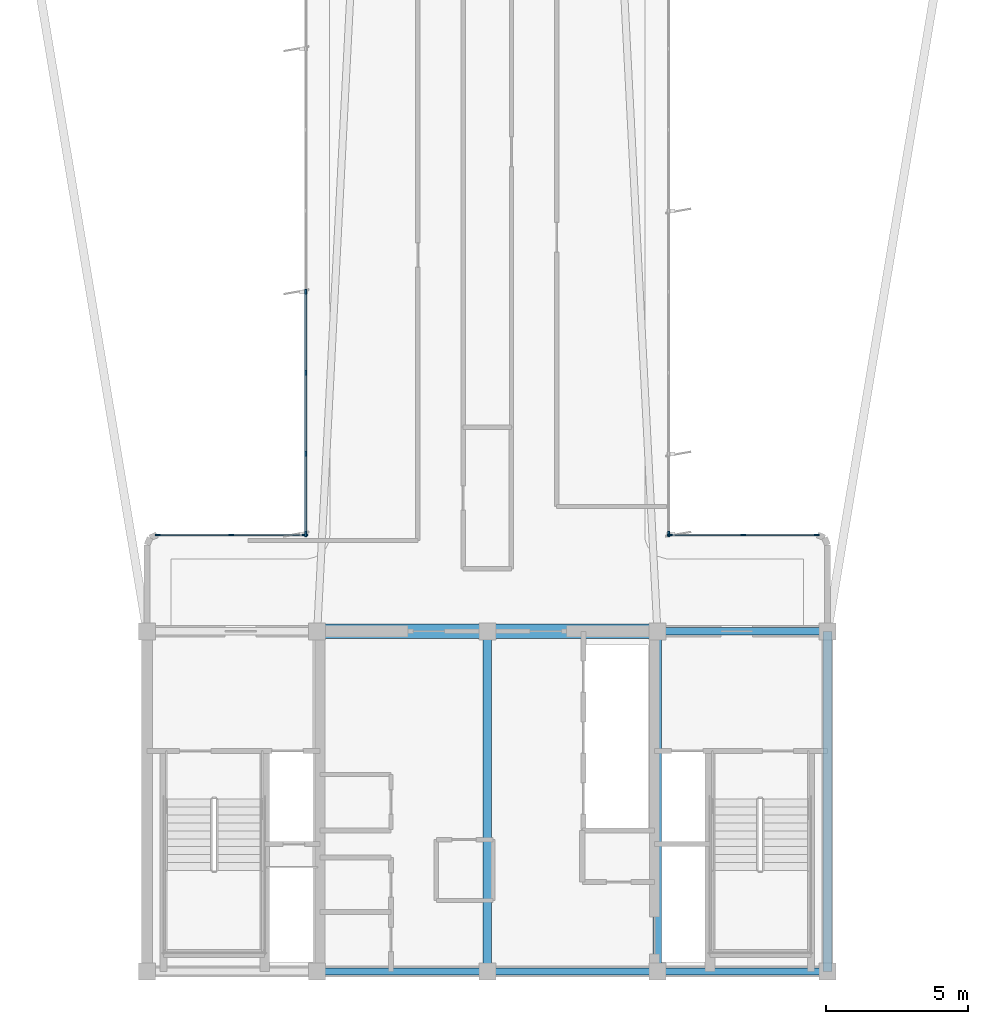
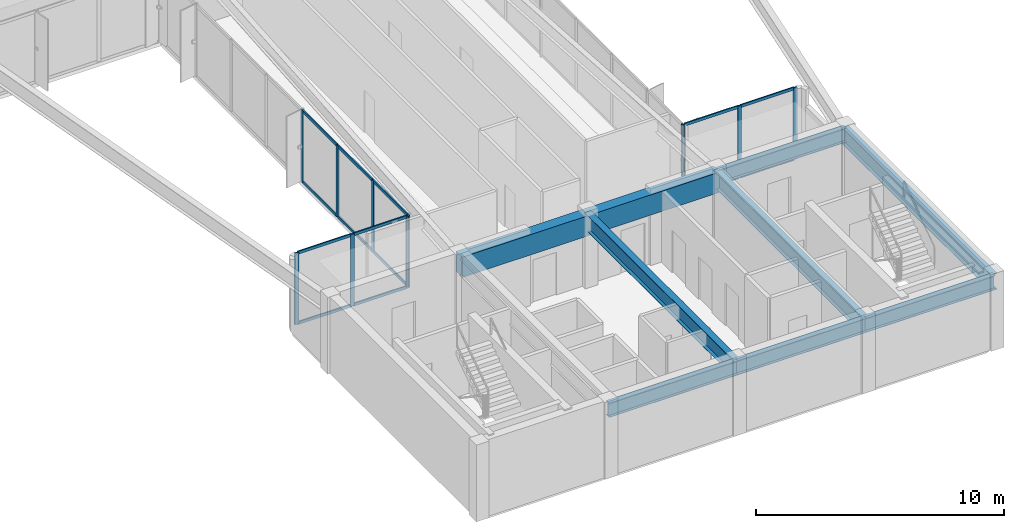
# One storey, part 2 of 15: 25 members, 8 beams, 4 elements without a shape of their own.
"""IFC4 building model written with IfcOpenShell, lengths in metres."""

from ifc_helpers import new_model, si_unit, direction, frame, origin, origin_2d, place, context, subcontext, project, spatial, rectangle, i_section, extrude, source, transform, mapped, material, layer, layer_set, material_profile, profile_set, type_object, element, aggregate, save


model = new_model("IFC4")

# Units and contexts
model_context = context("Model", 3, precision=1e-05, world=origin(), true_north=direction((0.0, 1.0)))
body_context = subcontext(model_context, "Body", "Model", "MODEL_VIEW")
ifc_project = project(units=[si_unit("LENGTHUNIT", "METRE"), si_unit("AREAUNIT", "SQUARE_METRE"), si_unit("VOLUMEUNIT", "CUBIC_METRE"), si_unit("PLANEANGLEUNIT", "RADIAN"), si_unit("MASSUNIT", "GRAM", prefix="KILO")], contexts=[model_context])

# Site, building, storey
site_placement = place(None, origin())
site = spatial("IfcSite", under=ifc_project, at=site_placement, CompositionType="ELEMENT")
building_placement = place(site_placement, origin())
building = spatial("IfcBuilding", under=site, at=building_placement, Name="Brelvock Crest Care Tower", CompositionType="ELEMENT")
storey_placement = place(building_placement, frame((0.0, 0.0, 241.919921875)))
storey = spatial("IfcBuildingStorey", under=building, at=storey_placement, Name="L61", CompositionType="ELEMENT", Elevation=241.919921875)

# Beams
ifc_material_1 = material(Name="Steel Grade 350", Category="steel")
ifc_material_profile_1 = material_profile(ifc_material_1, i_section(OverallWidth=0.25, OverallDepth=0.699951171875, WebThickness=0.011962890625, FlangeThickness=0.02001953125, at=origin_2d()), Name="700WB150")
ifc_profile_set_1 = profile_set([ifc_material_profile_1], Name="Steel Grade 350")
beam_type_1 = type_object("IfcBeamType", Name="BM-G4", PredefinedType="BEAM", material=ifc_profile_set_1)
shared_shape_1 = source(origin(), body_context, "Body", "SweptSolid", [
    extrude(i_section(OverallWidth=0.25, OverallDepth=0.699951171875, WebThickness=0.011962890625, FlangeThickness=0.02001953125, at=origin_2d()), origin(), (0.0, 0.0, 1.0), 6.0),
])
for number, where, z_axis, x_axis, name in (
    (1, (30.0, 6.0, 3.18017578125), (1.0, 0.0, 0.0), (0.0, 1.0, 0.0), "BM-CORES-L61-2"),
    (2, (36.0, 6.0, 3.18017578125), (1.0, 0.0, 0.0), (0.0, 1.0, 0.0), "BM-CORES-L61-3"),
    (3, (42.0, 6.0, 3.18017578125), (1.0, 0.0, 0.0), (0.0, 1.0, 0.0), "BM-CORES-L61-4"),
    (4, (42.0, 18.0, 3.18017578125), (1.0, 0.0, 0.0), (0.0, 1.0, 0.0), "BM-COREN-L61-4"),
):
    element("IfcBeam", number, at=place(storey_placement, frame(where, z_axis=z_axis, x_axis=x_axis)), inside=storey, type_object=beam_type_1, Name=name, PredefinedType="BEAM", context=body_context, shape_type="MappedRepresentation", body=[
        mapped(shared_shape_1, transform((0.0, 0.0, 0.0), x_axis=(1.0, 0.0, 0.0), y_axis=(0.0, 1.0, 0.0), z_axis=(0.0, 0.0, 1.0), scale=1.0)),
    ])
ifc_material_profile_2 = material_profile(ifc_material_1, i_section(OverallWidth=0.300048828125, OverallDepth=0.800048828125, WebThickness=0.013916015625, FlangeThickness=0.02197265625, at=origin_2d()), Name="800WB192")
ifc_profile_set_2 = profile_set([ifc_material_profile_2], Name="Steel Grade 350")
beam_type_2 = type_object("IfcBeamType", Name="BM-G5", PredefinedType="BEAM", material=ifc_profile_set_2)
shared_shape_2 = source(origin(), body_context, "Body", "SweptSolid", [
    extrude(i_section(OverallWidth=0.300048828125, OverallDepth=0.800048828125, WebThickness=0.013916015625, FlangeThickness=0.02197265625, at=origin_2d()), origin(), (0.0, 0.0, 1.0), 12.0),
])
for number, where, z_axis, x_axis, name in (
    (5, (36.0, 6.0, 3.130126953125), (0.0, 1.0, 0.0), (-1.0, 0.0, 0.0), "BM-COREX-L61-3"),
    (6, (42.0, 6.0, 3.130126953125), (0.0, 1.0, 0.0), (-1.0, 0.0, 0.0), "BM-COREX-L61-4"),
    (7, (48.0, 6.0, 3.130126953125), (0.0, 1.0, 0.0), (-1.0, 0.0, 0.0), "BM-COREX-L61-5"),
):
    element("IfcBeam", number, at=place(storey_placement, frame(where, z_axis=z_axis, x_axis=x_axis)), inside=storey, type_object=beam_type_2, Name=name, PredefinedType="BEAM", context=body_context, shape_type="MappedRepresentation", body=[
        mapped(shared_shape_2, transform((0.0, 0.0, 0.0), x_axis=(1.0, 0.0, 0.0), y_axis=(0.0, 1.0, 0.0), z_axis=(0.0, 0.0, 1.0), scale=1.0)),
    ])
ifc_material_2 = material(Name="Concrete S65 (65 MPa)", Category="concrete")
ifc_material_profile_3 = material_profile(ifc_material_2, rectangle(XDim=0.5, YDim=1.0, at=origin_2d()), Name="RC500x1000")
ifc_profile_set_3 = profile_set([ifc_material_profile_3], Name="Concrete S65 (65 MPa)")
beam_type_3 = type_object("IfcBeamType", Name="BM-LN2", PredefinedType="LINTEL", material=ifc_profile_set_3)
shared_shape_3 = source(origin(), body_context, "Body", "SweptSolid", [
    extrude(rectangle(XDim=0.5, YDim=1.0, at=origin_2d()), origin(), (0.0, 0.0, 1.0), 12.0),
])
beam_placement = place(storey_placement, frame((30.0, 18.0, 3.030029296875), z_axis=(1.0, 0.0, 0.0), x_axis=(0.0, 1.0, 0.0)))
element("IfcBeam", 8, at=beam_placement, inside=storey, type_object=beam_type_3, Name="L61 Core Coupling Lintel Beam", PredefinedType="LINTEL", context=body_context, shape_type="MappedRepresentation", body=[
    mapped(shared_shape_3, transform((0.0, 0.0, 0.0), x_axis=(1.0, 0.0, 0.0), y_axis=(0.0, 1.0, 0.0), z_axis=(0.0, 0.0, 1.0), scale=1.0)),
])

# Curtain wall, members
ifc_material_3 = material(Name="Dark Glass Double Glazed Low-E", Category="glass")
ifc_layer = layer(ifc_material_3, 0.239990234375, Name="CWS-5")
ifc_layer_set = layer_set([ifc_layer], Name="Dark Glass Double Glazed Low-E")
curtain_wall_type = type_object("IfcCurtainWallType", Name="CWS-5", PredefinedType="NOTDEFINED", material=ifc_layer_set)
curtain_wall_1_placement = place(storey_placement, origin())
curtain_wall_1 = element("IfcCurtainWall", 9, at=curtain_wall_1_placement, inside=storey, type_object=curtain_wall_type, Name="L61 Curtain Wall E10", PredefinedType="NOTDEFINED")
ifc_material_4 = material(Name="Aluminium 6063-T6", Category="aluminium")
ifc_material_profile_4 = material_profile(ifc_material_4, rectangle(XDim=0.06005859375, YDim=0.179931640625, at=origin_2d()), Name="ALU60x180")
ifc_profile_set_4 = profile_set([ifc_material_profile_4], Name="Aluminium 6063-T6")
member_type_1 = type_object("IfcMemberType", Name="CWM-2", PredefinedType="MULLION", material=ifc_profile_set_4)
shared_shape_4 = source(origin(), body_context, "Body", "SweptSolid", [
    extrude(rectangle(XDim=0.06005859375, YDim=0.179931640625, at=origin_2d()), origin(), (0.0, 0.0, 1.0), 3.530029296875),
])
member_1_placement = place(storey_placement, frame((24.3798828125, 21.39990234375, 0.0), z_axis=(0.0, 0.0, 1.0), x_axis=(0.0, 1.0, 0.0)))
member_1 = element("IfcMember", 10, at=member_1_placement, type_object=member_type_1, Name="CW-5 mullion 1", PredefinedType="MULLION", context=body_context, shape_type="MappedRepresentation", body=[
    mapped(shared_shape_4, transform((0.0, 0.0, 0.0), x_axis=(1.0, 0.0, 0.0), y_axis=(0.0, 1.0, 0.0), z_axis=(0.0, 0.0, 1.0), scale=1.0)),
])
member_2_placement = place(storey_placement, frame((26.97509765625, 21.39990234375, 0.0), z_axis=(0.0, 0.0, 1.0), x_axis=(0.0, 1.0, 0.0)))
member_2 = element("IfcMember", 11, at=member_2_placement, type_object=member_type_1, Name="CW-5 mullion 2", PredefinedType="MULLION", context=body_context, shape_type="MappedRepresentation", body=[
    mapped(shared_shape_4, transform((0.0, 0.0, 0.0), x_axis=(1.0, 0.0, 0.0), y_axis=(0.0, 1.0, 0.0), z_axis=(0.0, 0.0, 1.0), scale=1.0)),
])
member_3_placement = place(storey_placement, frame((29.570068359375, 21.39990234375, 0.0), z_axis=(0.0, 0.0, 1.0), x_axis=(0.0, 1.0, 0.0)))
member_3 = element("IfcMember", 12, at=member_3_placement, type_object=member_type_1, Name="CW-5 mullion 3", PredefinedType="MULLION", context=body_context, shape_type="MappedRepresentation", body=[
    mapped(shared_shape_4, transform((0.0, 0.0, 0.0), x_axis=(1.0, 0.0, 0.0), y_axis=(0.0, 1.0, 0.0), z_axis=(0.0, 0.0, 1.0), scale=1.0)),
])

curtain_wall_2_placement = place(storey_placement, origin())
curtain_wall_2 = element("IfcCurtainWall", 13, at=curtain_wall_2_placement, inside=storey, type_object=curtain_wall_type, Name="L61 Curtain Wall E11", PredefinedType="NOTDEFINED")
member_4_placement = place(storey_placement, frame((29.60009765625, 21.429931640625, 0.0), z_axis=(0.0, 0.0, 1.0), x_axis=(-1.0, 0.0, 0.0)))
member_4 = element("IfcMember", 14, at=member_4_placement, type_object=member_type_1, Name="CW-5 mullion 1", PredefinedType="MULLION", context=body_context, shape_type="MappedRepresentation", body=[
    mapped(shared_shape_4, transform((0.0, 0.0, 0.0), x_axis=(1.0, 0.0, 0.0), y_axis=(0.0, 1.0, 0.0), z_axis=(0.0, 0.0, 1.0), scale=1.0)),
])
member_5_placement = place(storey_placement, frame((29.60009765625, 24.257080078125, 0.0), z_axis=(0.0, 0.0, 1.0), x_axis=(-1.0, 0.0, 0.0)))
member_5 = element("IfcMember", 15, at=member_5_placement, type_object=member_type_1, Name="CW-5 mullion 2", PredefinedType="MULLION", context=body_context, shape_type="MappedRepresentation", body=[
    mapped(shared_shape_4, transform((0.0, 0.0, 0.0), x_axis=(1.0, 0.0, 0.0), y_axis=(0.0, 1.0, 0.0), z_axis=(0.0, 0.0, 1.0), scale=1.0)),
])
member_6_placement = place(storey_placement, frame((29.60009765625, 27.1142578125, 0.0), z_axis=(0.0, 0.0, 1.0), x_axis=(-1.0, 0.0, 0.0)))
member_6 = element("IfcMember", 16, at=member_6_placement, type_object=member_type_1, Name="CW-5 mullion 3", PredefinedType="MULLION", context=body_context, shape_type="MappedRepresentation", body=[
    mapped(shared_shape_4, transform((0.0, 0.0, 0.0), x_axis=(1.0, 0.0, 0.0), y_axis=(0.0, 1.0, 0.0), z_axis=(0.0, 0.0, 1.0), scale=1.0)),
])
member_7_placement = place(storey_placement, frame((29.60009765625, 29.971435546875, 0.0), z_axis=(0.0, 0.0, 1.0), x_axis=(-1.0, 0.0, 0.0)))
member_7 = element("IfcMember", 17, at=member_7_placement, type_object=member_type_1, Name="CW-5 mullion 4", PredefinedType="MULLION", context=body_context, shape_type="MappedRepresentation", body=[
    mapped(shared_shape_4, transform((0.0, 0.0, 0.0), x_axis=(1.0, 0.0, 0.0), y_axis=(0.0, 1.0, 0.0), z_axis=(0.0, 0.0, 1.0), scale=1.0)),
])

# Curtain wall, member
curtain_wall_3_placement = place(storey_placement, origin())
curtain_wall_3 = element("IfcCurtainWall", 18, at=curtain_wall_3_placement, inside=storey, type_object=curtain_wall_type, Name="L61 Curtain Wall E45", PredefinedType="NOTDEFINED")
member_8_placement = place(storey_placement, frame((42.39990234375, 21.429931640625, 0.0), z_axis=(0.0, 0.0, 1.0), x_axis=(1.0, 0.0, 0.0)))
member_8 = element("IfcMember", 19, at=member_8_placement, type_object=member_type_1, Name="CW-5 mullion 8", PredefinedType="MULLION", context=body_context, shape_type="MappedRepresentation", body=[
    mapped(shared_shape_4, transform((0.0, 0.0, 0.0), x_axis=(1.0, 0.0, 0.0), y_axis=(0.0, 1.0, 0.0), z_axis=(0.0, 0.0, 1.0), scale=1.0)),
])
aggregate(curtain_wall_3, [member_8])

# Curtain wall, members
curtain_wall_4_placement = place(storey_placement, origin())
curtain_wall_4 = element("IfcCurtainWall", 20, at=curtain_wall_4_placement, inside=storey, type_object=curtain_wall_type, Name="L61 Curtain Wall E46", PredefinedType="NOTDEFINED")
member_9_placement = place(storey_placement, frame((42.429931640625, 21.39990234375, 0.0), z_axis=(0.0, 0.0, 1.0), x_axis=(0.0, 1.0, 0.0)))
member_9 = element("IfcMember", 21, at=member_9_placement, type_object=member_type_1, Name="CW-5 mullion 1", PredefinedType="MULLION", context=body_context, shape_type="MappedRepresentation", body=[
    mapped(shared_shape_4, transform((0.0, 0.0, 0.0), x_axis=(1.0, 0.0, 0.0), y_axis=(0.0, 1.0, 0.0), z_axis=(0.0, 0.0, 1.0), scale=1.0)),
])
member_10_placement = place(storey_placement, frame((45.02490234375, 21.39990234375, 0.0), z_axis=(0.0, 0.0, 1.0), x_axis=(0.0, 1.0, 0.0)))
member_10 = element("IfcMember", 22, at=member_10_placement, type_object=member_type_1, Name="CW-5 mullion 2", PredefinedType="MULLION", context=body_context, shape_type="MappedRepresentation", body=[
    mapped(shared_shape_4, transform((0.0, 0.0, 0.0), x_axis=(1.0, 0.0, 0.0), y_axis=(0.0, 1.0, 0.0), z_axis=(0.0, 0.0, 1.0), scale=1.0)),
])
member_11_placement = place(storey_placement, frame((47.6201171875, 21.39990234375, 0.0), z_axis=(0.0, 0.0, 1.0), x_axis=(0.0, 1.0, 0.0)))
member_11 = element("IfcMember", 23, at=member_11_placement, type_object=member_type_1, Name="CW-5 mullion 3", PredefinedType="MULLION", context=body_context, shape_type="MappedRepresentation", body=[
    mapped(shared_shape_4, transform((0.0, 0.0, 0.0), x_axis=(1.0, 0.0, 0.0), y_axis=(0.0, 1.0, 0.0), z_axis=(0.0, 0.0, 1.0), scale=1.0)),
])

# Member
ifc_material_profile_5 = material_profile(ifc_material_4, rectangle(XDim=0.06005859375, YDim=0.139892578125, at=origin_2d()), Name="ALU60x140")
ifc_profile_set_5 = profile_set([ifc_material_profile_5], Name="Aluminium 6063-T6")
member_type_2 = type_object("IfcMemberType", Name="CWT-2", PredefinedType="USERDEFINED", material=ifc_profile_set_5)
shared_shape_5 = source(origin(), body_context, "Body", "SweptSolid", [
    extrude(rectangle(XDim=0.06005859375, YDim=0.139892578125, at=origin_2d()), origin(), (0.0, 0.0, 1.0), 2.53515625),
])
member_12_placement = place(storey_placement, frame((24.409912109375, 21.39990234375, 0.030029296875), z_axis=(1.0, 0.0, 0.0), x_axis=(0.0, 1.0, 0.0)))
member_12 = element("IfcMember", 24, at=member_12_placement, type_object=member_type_2, Name="CW-5 transom 1.1", ObjectType="TRANSOM", PredefinedType="USERDEFINED", context=body_context, shape_type="MappedRepresentation", body=[
    mapped(shared_shape_5, transform((0.0, 0.0, 0.0), x_axis=(1.0, 0.0, 0.0), y_axis=(0.0, 1.0, 0.0), z_axis=(0.0, 0.0, 1.0), scale=1.0)),
])

member_13_placement = place(storey_placement, frame((24.409912109375, 21.39990234375, 3.5), z_axis=(1.0, 0.0, 0.0), x_axis=(0.0, 1.0, 0.0)))
member_13 = element("IfcMember", 25, at=member_13_placement, type_object=member_type_2, Name="CW-5 transom 1.2", ObjectType="TRANSOM", PredefinedType="USERDEFINED", context=body_context, shape_type="MappedRepresentation", body=[
    mapped(shared_shape_5, transform((0.0, 0.0, 0.0), x_axis=(1.0, 0.0, 0.0), y_axis=(0.0, 1.0, 0.0), z_axis=(0.0, 0.0, 1.0), scale=1.0)),
])

member_14_placement = place(storey_placement, frame((27.0048828125, 21.39990234375, 0.030029296875), z_axis=(1.0, 0.0, 0.0), x_axis=(0.0, 1.0, 0.0)))
member_14 = element("IfcMember", 26, at=member_14_placement, type_object=member_type_2, Name="CW-5 transom 2.1", ObjectType="TRANSOM", PredefinedType="USERDEFINED", context=body_context, shape_type="MappedRepresentation", body=[
    mapped(shared_shape_5, transform((0.0, 0.0, 0.0), x_axis=(1.0, 0.0, 0.0), y_axis=(0.0, 1.0, 0.0), z_axis=(0.0, 0.0, 1.0), scale=1.0)),
])

member_15_placement = place(storey_placement, frame((27.0048828125, 21.39990234375, 3.5), z_axis=(1.0, 0.0, 0.0), x_axis=(0.0, 1.0, 0.0)))
member_15 = element("IfcMember", 27, at=member_15_placement, type_object=member_type_2, Name="CW-5 transom 2.2", ObjectType="TRANSOM", PredefinedType="USERDEFINED", context=body_context, shape_type="MappedRepresentation", body=[
    mapped(shared_shape_5, transform((0.0, 0.0, 0.0), x_axis=(1.0, 0.0, 0.0), y_axis=(0.0, 1.0, 0.0), z_axis=(0.0, 0.0, 1.0), scale=1.0)),
])

aggregate(curtain_wall_1, [member_1, member_2, member_3, member_12, member_13, member_14, member_15])

member_16_placement = place(storey_placement, frame((42.4599609375, 21.39990234375, 0.030029296875), z_axis=(1.0, 0.0, 0.0), x_axis=(0.0, 1.0, 0.0)))
member_16 = element("IfcMember", 28, at=member_16_placement, type_object=member_type_2, Name="CW-5 transom 1.1", ObjectType="TRANSOM", PredefinedType="USERDEFINED", context=body_context, shape_type="MappedRepresentation", body=[
    mapped(shared_shape_5, transform((0.0, 0.0, 0.0), x_axis=(1.0, 0.0, 0.0), y_axis=(0.0, 1.0, 0.0), z_axis=(0.0, 0.0, 1.0), scale=1.0)),
])

member_17_placement = place(storey_placement, frame((42.4599609375, 21.39990234375, 3.5), z_axis=(1.0, 0.0, 0.0), x_axis=(0.0, 1.0, 0.0)))
member_17 = element("IfcMember", 29, at=member_17_placement, type_object=member_type_2, Name="CW-5 transom 1.2", ObjectType="TRANSOM", PredefinedType="USERDEFINED", context=body_context, shape_type="MappedRepresentation", body=[
    mapped(shared_shape_5, transform((0.0, 0.0, 0.0), x_axis=(1.0, 0.0, 0.0), y_axis=(0.0, 1.0, 0.0), z_axis=(0.0, 0.0, 1.0), scale=1.0)),
])

member_18_placement = place(storey_placement, frame((45.054931640625, 21.39990234375, 0.030029296875), z_axis=(1.0, 0.0, 0.0), x_axis=(0.0, 1.0, 0.0)))
member_18 = element("IfcMember", 30, at=member_18_placement, type_object=member_type_2, Name="CW-5 transom 2.1", ObjectType="TRANSOM", PredefinedType="USERDEFINED", context=body_context, shape_type="MappedRepresentation", body=[
    mapped(shared_shape_5, transform((0.0, 0.0, 0.0), x_axis=(1.0, 0.0, 0.0), y_axis=(0.0, 1.0, 0.0), z_axis=(0.0, 0.0, 1.0), scale=1.0)),
])

member_19_placement = place(storey_placement, frame((45.054931640625, 21.39990234375, 3.5), z_axis=(1.0, 0.0, 0.0), x_axis=(0.0, 1.0, 0.0)))
member_19 = element("IfcMember", 31, at=member_19_placement, type_object=member_type_2, Name="CW-5 transom 2.2", ObjectType="TRANSOM", PredefinedType="USERDEFINED", context=body_context, shape_type="MappedRepresentation", body=[
    mapped(shared_shape_5, transform((0.0, 0.0, 0.0), x_axis=(1.0, 0.0, 0.0), y_axis=(0.0, 1.0, 0.0), z_axis=(0.0, 0.0, 1.0), scale=1.0)),
])

aggregate(curtain_wall_4, [member_9, member_10, member_11, member_16, member_17, member_18, member_19])

shared_shape_6 = source(origin(), body_context, "Body", "SweptSolid", [
    extrude(rectangle(XDim=0.06005859375, YDim=0.139892578125, at=origin_2d()), origin(), (0.0, 0.0, 1.0), 2.76708984375),
])
member_20_placement = place(storey_placement, frame((29.60009765625, 21.4599609375, 0.030029296875), z_axis=(0.0, 1.0, 0.0), x_axis=(-1.0, 0.0, 0.0)))
member_20 = element("IfcMember", 32, at=member_20_placement, type_object=member_type_2, Name="CW-5 transom 1.1", ObjectType="TRANSOM", PredefinedType="USERDEFINED", context=body_context, shape_type="MappedRepresentation", body=[
    mapped(shared_shape_6, transform((0.0, 0.0, 0.0), x_axis=(1.0, 0.0, 0.0), y_axis=(0.0, 1.0, 0.0), z_axis=(0.0, 0.0, 1.0), scale=1.0)),
])

member_21_placement = place(storey_placement, frame((29.60009765625, 21.4599609375, 3.5), z_axis=(0.0, 1.0, 0.0), x_axis=(-1.0, 0.0, 0.0)))
member_21 = element("IfcMember", 33, at=member_21_placement, type_object=member_type_2, Name="CW-5 transom 1.2", ObjectType="TRANSOM", PredefinedType="USERDEFINED", context=body_context, shape_type="MappedRepresentation", body=[
    mapped(shared_shape_6, transform((0.0, 0.0, 0.0), x_axis=(1.0, 0.0, 0.0), y_axis=(0.0, 1.0, 0.0), z_axis=(0.0, 0.0, 1.0), scale=1.0)),
])

shared_shape_7 = source(origin(), body_context, "Body", "SweptSolid", [
    extrude(rectangle(XDim=0.06005859375, YDim=0.139892578125, at=origin_2d()), origin(), (0.0, 0.0, 1.0), 2.797119140625),
])
member_22_placement = place(storey_placement, frame((29.60009765625, 24.287109375, 0.030029296875), z_axis=(0.0, 1.0, 0.0), x_axis=(-1.0, 0.0, 0.0)))
member_22 = element("IfcMember", 34, at=member_22_placement, type_object=member_type_2, Name="CW-5 transom 2.1", ObjectType="TRANSOM", PredefinedType="USERDEFINED", context=body_context, shape_type="MappedRepresentation", body=[
    mapped(shared_shape_7, transform((0.0, 0.0, 0.0), x_axis=(1.0, 0.0, 0.0), y_axis=(0.0, 1.0, 0.0), z_axis=(0.0, 0.0, 1.0), scale=1.0)),
])

member_23_placement = place(storey_placement, frame((29.60009765625, 24.287109375, 3.5), z_axis=(0.0, 1.0, 0.0), x_axis=(-1.0, 0.0, 0.0)))
member_23 = element("IfcMember", 35, at=member_23_placement, type_object=member_type_2, Name="CW-5 transom 2.2", ObjectType="TRANSOM", PredefinedType="USERDEFINED", context=body_context, shape_type="MappedRepresentation", body=[
    mapped(shared_shape_7, transform((0.0, 0.0, 0.0), x_axis=(1.0, 0.0, 0.0), y_axis=(0.0, 1.0, 0.0), z_axis=(0.0, 0.0, 1.0), scale=1.0)),
])

member_24_placement = place(storey_placement, frame((29.60009765625, 27.144287109375, 0.030029296875), z_axis=(0.0, 1.0, 0.0), x_axis=(-1.0, 0.0, 0.0)))
member_24 = element("IfcMember", 36, at=member_24_placement, type_object=member_type_2, Name="CW-5 transom 3.1", ObjectType="TRANSOM", PredefinedType="USERDEFINED", context=body_context, shape_type="MappedRepresentation", body=[
    mapped(shared_shape_7, transform((0.0, 0.0, 0.0), x_axis=(1.0, 0.0, 0.0), y_axis=(0.0, 1.0, 0.0), z_axis=(0.0, 0.0, 1.0), scale=1.0)),
])

member_25_placement = place(storey_placement, frame((29.60009765625, 27.144287109375, 3.5), z_axis=(0.0, 1.0, 0.0), x_axis=(-1.0, 0.0, 0.0)))
member_25 = element("IfcMember", 37, at=member_25_placement, type_object=member_type_2, Name="CW-5 transom 3.2", ObjectType="TRANSOM", PredefinedType="USERDEFINED", context=body_context, shape_type="MappedRepresentation", body=[
    mapped(shared_shape_7, transform((0.0, 0.0, 0.0), x_axis=(1.0, 0.0, 0.0), y_axis=(0.0, 1.0, 0.0), z_axis=(0.0, 0.0, 1.0), scale=1.0)),
])

aggregate(curtain_wall_2, [member_4, member_5, member_6, member_7, member_20, member_21, member_22, member_23, member_24, member_25])

save(model, "model.ifc")
